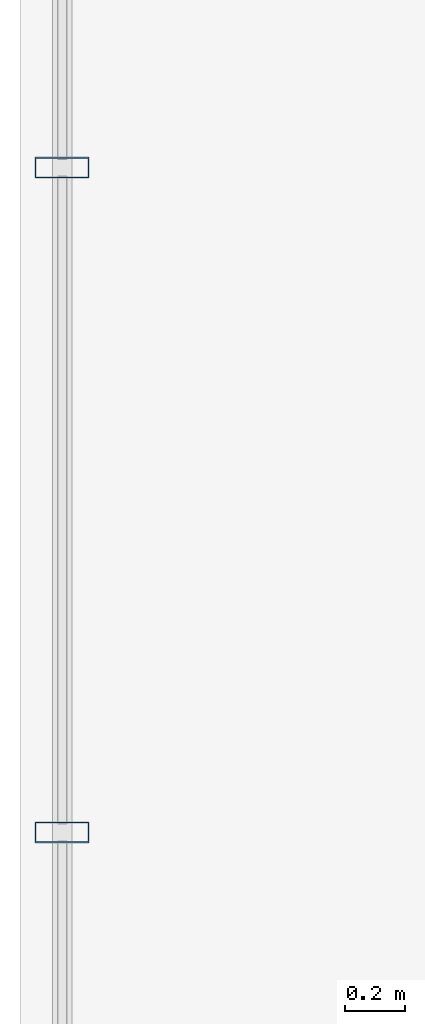
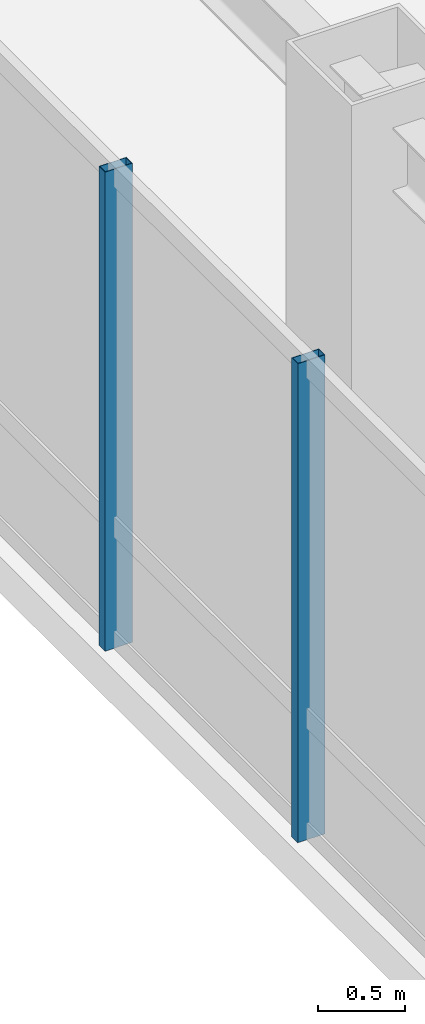
# One storey, part 6 of 28: 2 members, 1 element without a shape of its own.
"""IFC4 building model written with IfcOpenShell, lengths in metres."""

from ifc_helpers import new_model, si_unit, direction, frame, origin, origin_2d, place, context, subcontext, project, spatial, hollow_rectangle, extrude, material, layer, layer_set, material_profile, profile_set, type_object, element, aggregate, save


model = new_model("IFC4")

# Units and contexts
model_context = context("Model", 3, precision=1e-05, world=origin(), true_north=direction((0.0, 1.0)))
body_context = subcontext(model_context, "Body", "Model", "MODEL_VIEW")
ifc_project = project(units=[si_unit("LENGTHUNIT", "METRE"), si_unit("AREAUNIT", "SQUARE_METRE"), si_unit("VOLUMEUNIT", "CUBIC_METRE"), si_unit("PLANEANGLEUNIT", "RADIAN"), si_unit("MASSUNIT", "GRAM", prefix="KILO")], contexts=[model_context])

# Site, building, storey
site_placement = place(None, origin())
site = spatial("IfcSite", under=ifc_project, at=site_placement, CompositionType="ELEMENT")
building_placement = place(site_placement, origin())
building = spatial("IfcBuilding", under=site, at=building_placement, Name="Hatsunagi Terrace Concourse", CompositionType="ELEMENT")
storey_placement = place(building_placement, frame((0.0, 0.0, 170.85009765625)))
storey = spatial("IfcBuildingStorey", under=building, at=storey_placement, Name="L45", CompositionType="ELEMENT", Elevation=170.85009765625)

# Curtain wall, members
ifc_material_1 = material(Name="Anodised Aluminium Alloy 6063-T5", Category="aluminium")
ifc_layer = layer(ifc_material_1, 0.199951171875)
ifc_layer_set = layer_set([ifc_layer], Name="OfficeZone1_CW03")
curtain_wall_type = type_object("IfcCurtainWallType", Name="OfficeZone1_CW03", PredefinedType="NOTDEFINED", material=ifc_layer_set)
curtain_wall_placement = place(storey_placement, origin())
curtain_wall = element("IfcCurtainWall", 1, at=curtain_wall_placement, inside=storey, type_object=curtain_wall_type, Name="Unitised Curtain Wall CW-03 CW-L45-09", PredefinedType="NOTDEFINED")
ifc_material_2 = material(Name="Anodised Aluminium Alloy 6063-T5", Category="aluminium")
ifc_material_profile = material_profile(ifc_material_2, hollow_rectangle(XDim=0.070068359375, YDim=0.179931640625, WallThickness=0.00390625, at=origin_2d()), Name="ALU-MUL-180x70x4")
ifc_profile_set = profile_set([ifc_material_profile], Name="Anodised Aluminium Alloy 6063-T5")
member_type = type_object("IfcMemberType", Name="CurtainWallMullion_180x70", PredefinedType="MULLION", material=ifc_profile_set)
member_1_placement = place(storey_placement, frame((9.739990234375, 34.69189453125, 0.0), z_axis=(0.0, 0.0, 1.0), x_axis=(0.0, 1.0, 0.0)))
member_1 = element("IfcMember", 2, at=member_1_placement, type_object=member_type, Name="Curtain Wall Mullion MUL-02", PredefinedType="MULLION", context=body_context, shape_type="SweptSolid", body=[
    extrude(hollow_rectangle(XDim=0.070068359375, YDim=0.179931640625, WallThickness=0.00390625, at=origin_2d()), origin(), (0.0, 0.0, 1.0), 3.349853515625),
])
member_2_placement = place(storey_placement, frame((9.739990234375, 36.89990234375, 0.0), z_axis=(0.0, 0.0, 1.0), x_axis=(0.0, 1.0, 0.0)))
member_2 = element("IfcMember", 3, at=member_2_placement, type_object=member_type, Name="Curtain Wall Mullion MUL-02", PredefinedType="MULLION", context=body_context, shape_type="SweptSolid", body=[
    extrude(hollow_rectangle(XDim=0.070068359375, YDim=0.179931640625, WallThickness=0.00390625, at=origin_2d()), origin(), (0.0, 0.0, 1.0), 3.349853515625),
])
aggregate(curtain_wall, [member_1, member_2])

save(model, "model.ifc")
